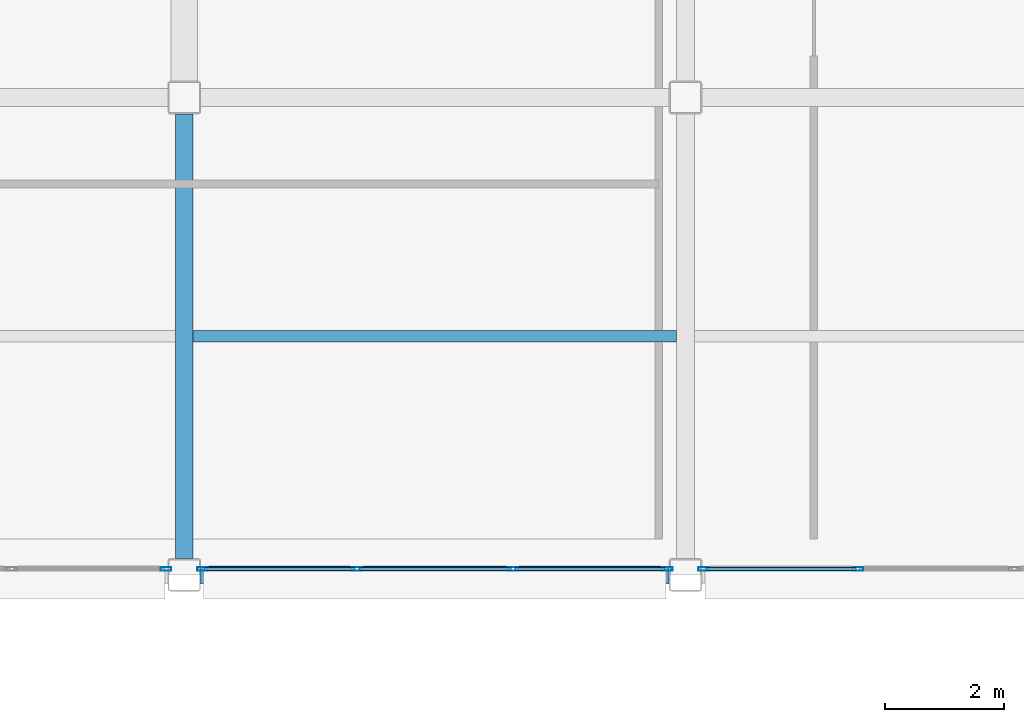
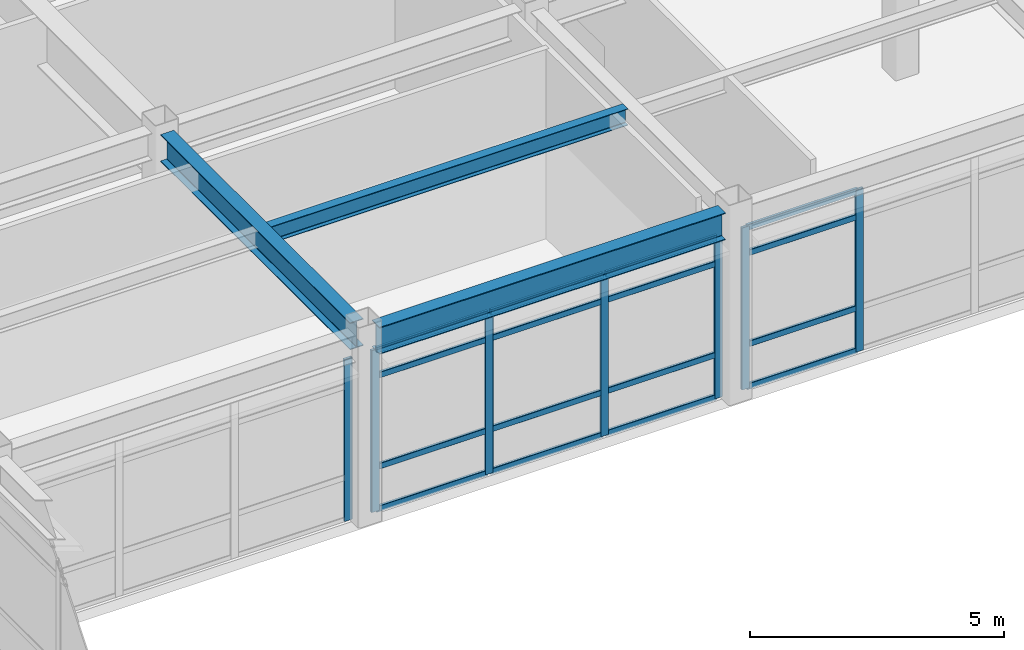
# One storey, part 40 of 154: 23 members, 3 beams, 3 elements without a shape of their own.
"""IFC4 building model written with IfcOpenShell, lengths in metres."""

from ifc_helpers import new_model, si_unit, direction, frame, origin, origin_2d, place, context, subcontext, project, spatial, hollow_rectangle, i_section, extrude, material, layer, layer_set, material_profile, profile_set, type_object, element, aggregate, save


model = new_model("IFC4")

# Units and contexts
model_context = context("Model", 3, precision=1e-05, world=origin(), true_north=direction((0.0, 1.0)))
body_context = subcontext(model_context, "Body", "Model", "MODEL_VIEW")
ifc_project = project(units=[si_unit("LENGTHUNIT", "METRE"), si_unit("AREAUNIT", "SQUARE_METRE"), si_unit("VOLUMEUNIT", "CUBIC_METRE"), si_unit("PLANEANGLEUNIT", "RADIAN"), si_unit("MASSUNIT", "GRAM", prefix="KILO")], contexts=[model_context])

# Site, building, storey
site_placement = place(None, origin())
site = spatial("IfcSite", under=ifc_project, at=site_placement, CompositionType="ELEMENT")
building_placement = place(site_placement, origin())
building = spatial("IfcBuilding", under=site, at=building_placement, Name="Kazehara Bluff Congress Hotel", CompositionType="ELEMENT")
storey_placement = place(building_placement, frame((0.0, 0.0, 10.199951171875)))
storey = spatial("IfcBuildingStorey", under=building, at=storey_placement, Name="L02", CompositionType="ELEMENT", Elevation=10.199951171875)

# Curtain wall, member
ifc_material_1 = material(Name="Anodised aluminium", Category="aluminium")
ifc_layer = layer(ifc_material_1, 0.159912109375)
ifc_layer_set = layer_set([ifc_layer], Name="Anodised aluminium")
curtain_wall_type = type_object("IfcCurtainWallType", Name="TP-CW-117", PredefinedType="NOTDEFINED", material=ifc_layer_set)
curtain_wall_1_placement = place(storey_placement, origin())
curtain_wall_1 = element("IfcCurtainWall", 1, at=curtain_wall_1_placement, inside=storey, type_object=curtain_wall_type, Name="L02 curtain wall CW-117 CW-ENC-V4-L02-8025-1610", PredefinedType="NOTDEFINED")
ifc_material_2 = material(Name="Anodised aluminium", Category="aluminium")
ifc_material_profile_1 = material_profile(ifc_material_2, hollow_rectangle(XDim=0.06494140625, YDim=0.179931640625, WallThickness=0.00390625, InnerFilletRadius=0.00390625, OuterFilletRadius=0.008056640625, at=origin_2d()))
ifc_profile_set_1 = profile_set([ifc_material_profile_1], Name="Anodised aluminium")
member_type_1 = type_object("IfcMemberType", Name="TP-CWM-02", PredefinedType="MULLION", material=ifc_profile_set_1)
member_1_placement = place(storey_placement, frame((84.142578125, 16.10009765625, 0.0), z_axis=(0.0, 0.0, 1.0), x_axis=(0.0, -1.0, 0.0)))
member_1 = element("IfcMember", 2, at=member_1_placement, type_object=member_type_1, Name="CW-117 mullion 1", PredefinedType="MULLION", context=body_context, shape_type="SweptSolid", body=[
    extrude(hollow_rectangle(XDim=0.06494140625, YDim=0.179931640625, WallThickness=0.00390625, InnerFilletRadius=0.00390625, OuterFilletRadius=0.008056640625, at=origin_2d()), origin(), (0.0, 0.0, 1.0), 3.885009765625),
])
aggregate(curtain_wall_1, [member_1])

# Curtain wall, members
curtain_wall_2_placement = place(storey_placement, origin())
curtain_wall_2 = element("IfcCurtainWall", 3, at=curtain_wall_2_placement, inside=storey, type_object=curtain_wall_type, Name="L02 curtain wall CW-117 CW-ENC-V4-L02-8865-1610", PredefinedType="NOTDEFINED")
member_2_placement = place(storey_placement, frame((92.54248046875, 16.10009765625, 0.0), z_axis=(0.0, 0.0, 1.0), x_axis=(0.0, -1.0, 0.0)))
member_2 = element("IfcMember", 4, at=member_2_placement, type_object=member_type_1, Name="CW-117 mullion 1", PredefinedType="MULLION", context=body_context, shape_type="SweptSolid", body=[
    extrude(hollow_rectangle(XDim=0.06494140625, YDim=0.179931640625, WallThickness=0.00390625, InnerFilletRadius=0.00390625, OuterFilletRadius=0.008056640625, at=origin_2d()), origin(), (0.0, 0.0, 1.0), 3.885009765625),
])
member_3_placement = place(storey_placement, frame((89.958251953125, 16.10009765625, 0.0), z_axis=(0.0, 0.0, 1.0), x_axis=(0.0, -1.0, 0.0)))
member_3 = element("IfcMember", 5, at=member_3_placement, type_object=member_type_1, Name="CW-117 mullion 2", PredefinedType="MULLION", context=body_context, shape_type="SweptSolid", body=[
    extrude(hollow_rectangle(XDim=0.06494140625, YDim=0.179931640625, WallThickness=0.00390625, InnerFilletRadius=0.00390625, OuterFilletRadius=0.008056640625, at=origin_2d()), origin(), (0.0, 0.0, 1.0), 3.885009765625),
])
member_4_placement = place(storey_placement, frame((87.341552734375, 16.10009765625, 0.0), z_axis=(0.0, 0.0, 1.0), x_axis=(0.0, -1.0, 0.0)))
member_4 = element("IfcMember", 6, at=member_4_placement, type_object=member_type_1, Name="CW-117 mullion 3", PredefinedType="MULLION", context=body_context, shape_type="SweptSolid", body=[
    extrude(hollow_rectangle(XDim=0.06494140625, YDim=0.179931640625, WallThickness=0.00390625, InnerFilletRadius=0.00390625, OuterFilletRadius=0.008056640625, at=origin_2d()), origin(), (0.0, 0.0, 1.0), 3.885009765625),
])
member_5_placement = place(storey_placement, frame((84.757568359375, 16.10009765625, 0.0), z_axis=(0.0, 0.0, 1.0), x_axis=(0.0, -1.0, 0.0)))
member_5 = element("IfcMember", 7, at=member_5_placement, type_object=member_type_1, Name="CW-117 mullion 4", PredefinedType="MULLION", context=body_context, shape_type="SweptSolid", body=[
    extrude(hollow_rectangle(XDim=0.06494140625, YDim=0.179931640625, WallThickness=0.00390625, InnerFilletRadius=0.00390625, OuterFilletRadius=0.008056640625, at=origin_2d()), origin(), (0.0, 0.0, 1.0), 3.885009765625),
])

curtain_wall_3_placement = place(storey_placement, origin())
curtain_wall_3 = element("IfcCurtainWall", 8, at=curtain_wall_3_placement, inside=storey, type_object=curtain_wall_type, Name="L02 curtain wall CW-117 CW-ENC-V4-L02-9705-1610", PredefinedType="NOTDEFINED")
member_6_placement = place(storey_placement, frame((95.74169921875, 16.10009765625, 0.0), z_axis=(0.0, 0.0, 1.0), x_axis=(0.0, -1.0, 0.0)))
member_6 = element("IfcMember", 9, at=member_6_placement, type_object=member_type_1, Name="CW-117 mullion 3", PredefinedType="MULLION", context=body_context, shape_type="SweptSolid", body=[
    extrude(hollow_rectangle(XDim=0.06494140625, YDim=0.179931640625, WallThickness=0.00390625, InnerFilletRadius=0.00390625, OuterFilletRadius=0.008056640625, at=origin_2d()), origin(), (0.0, 0.0, 1.0), 3.885009765625),
])
member_7_placement = place(storey_placement, frame((93.157470703125, 16.10009765625, 0.0), z_axis=(0.0, 0.0, 1.0), x_axis=(0.0, -1.0, 0.0)))
member_7 = element("IfcMember", 10, at=member_7_placement, type_object=member_type_1, Name="CW-117 mullion 4", PredefinedType="MULLION", context=body_context, shape_type="SweptSolid", body=[
    extrude(hollow_rectangle(XDim=0.06494140625, YDim=0.179931640625, WallThickness=0.00390625, InnerFilletRadius=0.00390625, OuterFilletRadius=0.008056640625, at=origin_2d()), origin(), (0.0, 0.0, 1.0), 3.885009765625),
])

# Member
ifc_material_3 = material(Name="Anodised aluminium", Category="aluminium")
ifc_material_profile_2 = material_profile(ifc_material_3, hollow_rectangle(XDim=0.06494140625, YDim=0.139892578125, WallThickness=0.00390625, InnerFilletRadius=0.00390625, OuterFilletRadius=0.008056640625, at=origin_2d()))
ifc_profile_set_2 = profile_set([ifc_material_profile_2], Name="Anodised aluminium")
member_type_2 = type_object("IfcMemberType", Name="TP-CWT-02", PredefinedType="USERDEFINED", material=ifc_profile_set_2)
member_8_placement = place(storey_placement, frame((92.510009765625, 16.10009765625, 0.032470703125), z_axis=(-1.0, 0.0, 0.0), x_axis=(0.0, -1.0, 0.0)))
member_8 = element("IfcMember", 11, at=member_8_placement, type_object=member_type_2, Name="CW-117 transom 1.1", ObjectType="TRANSOM", PredefinedType="USERDEFINED", context=body_context, shape_type="SweptSolid", body=[
    extrude(hollow_rectangle(XDim=0.06494140625, YDim=0.139892578125, WallThickness=0.00390625, InnerFilletRadius=0.00390625, OuterFilletRadius=0.008056640625, at=origin_2d()), origin(), (0.0, 0.0, 1.0), 2.519287109375),
])

member_9_placement = place(storey_placement, frame((92.510009765625, 16.10009765625, 1.050048828125), z_axis=(-1.0, 0.0, 0.0), x_axis=(0.0, -1.0, 0.0)))
member_9 = element("IfcMember", 12, at=member_9_placement, type_object=member_type_2, Name="CW-117 transom 1.2", ObjectType="TRANSOM", PredefinedType="USERDEFINED", context=body_context, shape_type="SweptSolid", body=[
    extrude(hollow_rectangle(XDim=0.06494140625, YDim=0.139892578125, WallThickness=0.00390625, InnerFilletRadius=0.00390625, OuterFilletRadius=0.008056640625, at=origin_2d()), origin(), (0.0, 0.0, 1.0), 2.519287109375),
])

member_10_placement = place(storey_placement, frame((92.510009765625, 16.10009765625, 3.235107421875), z_axis=(-1.0, 0.0, 0.0), x_axis=(0.0, -1.0, 0.0)))
member_10 = element("IfcMember", 13, at=member_10_placement, type_object=member_type_2, Name="CW-117 transom 1.3", ObjectType="TRANSOM", PredefinedType="USERDEFINED", context=body_context, shape_type="SweptSolid", body=[
    extrude(hollow_rectangle(XDim=0.06494140625, YDim=0.139892578125, WallThickness=0.00390625, InnerFilletRadius=0.00390625, OuterFilletRadius=0.008056640625, at=origin_2d()), origin(), (0.0, 0.0, 1.0), 2.519287109375),
])

member_11_placement = place(storey_placement, frame((92.510009765625, 16.10009765625, 3.8525390625), z_axis=(-1.0, 0.0, 0.0), x_axis=(0.0, -1.0, 0.0)))
member_11 = element("IfcMember", 14, at=member_11_placement, type_object=member_type_2, Name="CW-117 transom 1.4", ObjectType="TRANSOM", PredefinedType="USERDEFINED", context=body_context, shape_type="SweptSolid", body=[
    extrude(hollow_rectangle(XDim=0.06494140625, YDim=0.139892578125, WallThickness=0.00390625, InnerFilletRadius=0.00390625, OuterFilletRadius=0.008056640625, at=origin_2d()), origin(), (0.0, 0.0, 1.0), 2.519287109375),
])

member_12_placement = place(storey_placement, frame((89.92578125, 16.10009765625, 0.032470703125), z_axis=(-1.0, 0.0, 0.0), x_axis=(0.0, -1.0, 0.0)))
member_12 = element("IfcMember", 15, at=member_12_placement, type_object=member_type_2, Name="CW-117 transom 2.1", ObjectType="TRANSOM", PredefinedType="USERDEFINED", context=body_context, shape_type="SweptSolid", body=[
    extrude(hollow_rectangle(XDim=0.06494140625, YDim=0.139892578125, WallThickness=0.00390625, InnerFilletRadius=0.00390625, OuterFilletRadius=0.008056640625, at=origin_2d()), origin(), (0.0, 0.0, 1.0), 2.551513671875),
])

member_13_placement = place(storey_placement, frame((89.92578125, 16.10009765625, 1.050048828125), z_axis=(-1.0, 0.0, 0.0), x_axis=(0.0, -1.0, 0.0)))
member_13 = element("IfcMember", 16, at=member_13_placement, type_object=member_type_2, Name="CW-117 transom 2.2", ObjectType="TRANSOM", PredefinedType="USERDEFINED", context=body_context, shape_type="SweptSolid", body=[
    extrude(hollow_rectangle(XDim=0.06494140625, YDim=0.139892578125, WallThickness=0.00390625, InnerFilletRadius=0.00390625, OuterFilletRadius=0.008056640625, at=origin_2d()), origin(), (0.0, 0.0, 1.0), 2.551513671875),
])

member_14_placement = place(storey_placement, frame((89.92578125, 16.10009765625, 3.235107421875), z_axis=(-1.0, 0.0, 0.0), x_axis=(0.0, -1.0, 0.0)))
member_14 = element("IfcMember", 17, at=member_14_placement, type_object=member_type_2, Name="CW-117 transom 2.3", ObjectType="TRANSOM", PredefinedType="USERDEFINED", context=body_context, shape_type="SweptSolid", body=[
    extrude(hollow_rectangle(XDim=0.06494140625, YDim=0.139892578125, WallThickness=0.00390625, InnerFilletRadius=0.00390625, OuterFilletRadius=0.008056640625, at=origin_2d()), origin(), (0.0, 0.0, 1.0), 2.551513671875),
])

member_15_placement = place(storey_placement, frame((89.92578125, 16.10009765625, 3.8525390625), z_axis=(-1.0, 0.0, 0.0), x_axis=(0.0, -1.0, 0.0)))
member_15 = element("IfcMember", 18, at=member_15_placement, type_object=member_type_2, Name="CW-117 transom 2.4", ObjectType="TRANSOM", PredefinedType="USERDEFINED", context=body_context, shape_type="SweptSolid", body=[
    extrude(hollow_rectangle(XDim=0.06494140625, YDim=0.139892578125, WallThickness=0.00390625, InnerFilletRadius=0.00390625, OuterFilletRadius=0.008056640625, at=origin_2d()), origin(), (0.0, 0.0, 1.0), 2.551513671875),
])

member_16_placement = place(storey_placement, frame((87.30908203125, 16.10009765625, 0.032470703125), z_axis=(-1.0, 0.0, 0.0), x_axis=(0.0, -1.0, 0.0)))
member_16 = element("IfcMember", 19, at=member_16_placement, type_object=member_type_2, Name="CW-117 transom 3.1", ObjectType="TRANSOM", PredefinedType="USERDEFINED", context=body_context, shape_type="SweptSolid", body=[
    extrude(hollow_rectangle(XDim=0.06494140625, YDim=0.139892578125, WallThickness=0.00390625, InnerFilletRadius=0.00390625, OuterFilletRadius=0.008056640625, at=origin_2d()), origin(), (0.0, 0.0, 1.0), 2.51904296875),
])

member_17_placement = place(storey_placement, frame((87.30908203125, 16.10009765625, 1.050048828125), z_axis=(-1.0, 0.0, 0.0), x_axis=(0.0, -1.0, 0.0)))
member_17 = element("IfcMember", 20, at=member_17_placement, type_object=member_type_2, Name="CW-117 transom 3.2", ObjectType="TRANSOM", PredefinedType="USERDEFINED", context=body_context, shape_type="SweptSolid", body=[
    extrude(hollow_rectangle(XDim=0.06494140625, YDim=0.139892578125, WallThickness=0.00390625, InnerFilletRadius=0.00390625, OuterFilletRadius=0.008056640625, at=origin_2d()), origin(), (0.0, 0.0, 1.0), 2.51904296875),
])

member_18_placement = place(storey_placement, frame((87.30908203125, 16.10009765625, 3.235107421875), z_axis=(-1.0, 0.0, 0.0), x_axis=(0.0, -1.0, 0.0)))
member_18 = element("IfcMember", 21, at=member_18_placement, type_object=member_type_2, Name="CW-117 transom 3.3", ObjectType="TRANSOM", PredefinedType="USERDEFINED", context=body_context, shape_type="SweptSolid", body=[
    extrude(hollow_rectangle(XDim=0.06494140625, YDim=0.139892578125, WallThickness=0.00390625, InnerFilletRadius=0.00390625, OuterFilletRadius=0.008056640625, at=origin_2d()), origin(), (0.0, 0.0, 1.0), 2.51904296875),
])

member_19_placement = place(storey_placement, frame((87.30908203125, 16.10009765625, 3.8525390625), z_axis=(-1.0, 0.0, 0.0), x_axis=(0.0, -1.0, 0.0)))
member_19 = element("IfcMember", 22, at=member_19_placement, type_object=member_type_2, Name="CW-117 transom 3.4", ObjectType="TRANSOM", PredefinedType="USERDEFINED", context=body_context, shape_type="SweptSolid", body=[
    extrude(hollow_rectangle(XDim=0.06494140625, YDim=0.139892578125, WallThickness=0.00390625, InnerFilletRadius=0.00390625, OuterFilletRadius=0.008056640625, at=origin_2d()), origin(), (0.0, 0.0, 1.0), 2.51904296875),
])

aggregate(curtain_wall_2, [member_2, member_3, member_4, member_5, member_8, member_9, member_10, member_11, member_12, member_13, member_14, member_15, member_16, member_17, member_18, member_19])

member_20_placement = place(storey_placement, frame((95.709228515625, 16.10009765625, 0.032470703125), z_axis=(-1.0, 0.0, 0.0), x_axis=(0.0, -1.0, 0.0)))
member_20 = element("IfcMember", 23, at=member_20_placement, type_object=member_type_2, Name="CW-117 transom 3.1", ObjectType="TRANSOM", PredefinedType="USERDEFINED", context=body_context, shape_type="SweptSolid", body=[
    extrude(hollow_rectangle(XDim=0.06494140625, YDim=0.139892578125, WallThickness=0.00390625, InnerFilletRadius=0.00390625, OuterFilletRadius=0.008056640625, at=origin_2d()), origin(), (0.0, 0.0, 1.0), 2.519287109375),
])

member_21_placement = place(storey_placement, frame((95.709228515625, 16.10009765625, 1.050048828125), z_axis=(-1.0, 0.0, 0.0), x_axis=(0.0, -1.0, 0.0)))
member_21 = element("IfcMember", 24, at=member_21_placement, type_object=member_type_2, Name="CW-117 transom 3.2", ObjectType="TRANSOM", PredefinedType="USERDEFINED", context=body_context, shape_type="SweptSolid", body=[
    extrude(hollow_rectangle(XDim=0.06494140625, YDim=0.139892578125, WallThickness=0.00390625, InnerFilletRadius=0.00390625, OuterFilletRadius=0.008056640625, at=origin_2d()), origin(), (0.0, 0.0, 1.0), 2.519287109375),
])

member_22_placement = place(storey_placement, frame((95.709228515625, 16.10009765625, 3.235107421875), z_axis=(-1.0, 0.0, 0.0), x_axis=(0.0, -1.0, 0.0)))
member_22 = element("IfcMember", 25, at=member_22_placement, type_object=member_type_2, Name="CW-117 transom 3.3", ObjectType="TRANSOM", PredefinedType="USERDEFINED", context=body_context, shape_type="SweptSolid", body=[
    extrude(hollow_rectangle(XDim=0.06494140625, YDim=0.139892578125, WallThickness=0.00390625, InnerFilletRadius=0.00390625, OuterFilletRadius=0.008056640625, at=origin_2d()), origin(), (0.0, 0.0, 1.0), 2.519287109375),
])

member_23_placement = place(storey_placement, frame((95.709228515625, 16.10009765625, 3.8525390625), z_axis=(-1.0, 0.0, 0.0), x_axis=(0.0, -1.0, 0.0)))
member_23 = element("IfcMember", 26, at=member_23_placement, type_object=member_type_2, Name="CW-117 transom 3.4", ObjectType="TRANSOM", PredefinedType="USERDEFINED", context=body_context, shape_type="SweptSolid", body=[
    extrude(hollow_rectangle(XDim=0.06494140625, YDim=0.139892578125, WallThickness=0.00390625, InnerFilletRadius=0.00390625, OuterFilletRadius=0.008056640625, at=origin_2d()), origin(), (0.0, 0.0, 1.0), 2.519287109375),
])

aggregate(curtain_wall_3, [member_6, member_7, member_20, member_21, member_22, member_23])

# Beams
ifc_material_4 = material(Name="Steel SN490B", Category="steel")
ifc_material_profile_3 = material_profile(ifc_material_4, i_section(OverallWidth=0.300048828125, OverallDepth=0.64990234375, WebThickness=0.011962890625, FlangeThickness=0.02001953125, FilletRadius=0.012939453125, at=origin_2d()))
ifc_profile_set_3 = profile_set([ifc_material_profile_3], Name="Steel SN490B")
beam_type_1 = type_object("IfcBeamType", Name="TP-G-03", PredefinedType="BEAM", material=ifc_profile_set_3)
beam_1_placement = place(storey_placement, frame((84.449951171875, 16.27490234375, 4.235107421875), z_axis=(0.0, 1.0, 0.0), x_axis=(-1.0, 0.0, 0.0)))
element("IfcBeam", 27, at=beam_1_placement, inside=storey, type_object=beam_type_1, Name="L02 girder G-03 77", PredefinedType="BEAM", context=body_context, shape_type="SweptSolid", body=[
    extrude(i_section(OverallWidth=0.300048828125, OverallDepth=0.64990234375, WebThickness=0.011962890625, FlangeThickness=0.02001953125, FilletRadius=0.012939453125, at=origin_2d()), origin(), (0.0, 0.0, 1.0), 7.4501953125),
])
beam_2_placement = place(storey_placement, frame((84.72509765625, 16.0, 4.235107421875), z_axis=(1.0, 0.0, 0.0), x_axis=(0.0, 1.0, 0.0)))
element("IfcBeam", 28, at=beam_2_placement, inside=storey, type_object=beam_type_1, Name="L02 girder G-03 99", PredefinedType="BEAM", context=body_context, shape_type="SweptSolid", body=[
    extrude(i_section(OverallWidth=0.300048828125, OverallDepth=0.64990234375, WebThickness=0.011962890625, FlangeThickness=0.02001953125, FilletRadius=0.012939453125, at=origin_2d()), origin(), (0.0, 0.0, 1.0), 7.849853515625),
])
ifc_material_5 = material(Name="Steel SN400B", Category="steel")
ifc_material_profile_4 = material_profile(ifc_material_5, i_section(OverallWidth=0.199951171875, OverallDepth=0.39990234375, WebThickness=0.008056640625, FlangeThickness=0.012939453125, FilletRadius=0.012939453125, at=origin_2d()))
ifc_profile_set_4 = profile_set([ifc_material_profile_4], Name="Steel SN400B")
beam_type_2 = type_object("IfcBeamType", Name="TP-J-03", PredefinedType="JOIST", material=ifc_profile_set_4)
beam_3_placement = place(storey_placement, frame((84.60009765625, 20.0, 4.360107421875), z_axis=(1.0, 0.0, 0.0), x_axis=(0.0, 1.0, 0.0)))
element("IfcBeam", 29, at=beam_3_placement, inside=storey, type_object=beam_type_2, Name="L02 secondary joist J-03 16", PredefinedType="JOIST", context=body_context, shape_type="SweptSolid", body=[
    extrude(i_section(OverallWidth=0.199951171875, OverallDepth=0.39990234375, WebThickness=0.008056640625, FlangeThickness=0.012939453125, FilletRadius=0.012939453125, at=origin_2d()), origin(), (0.0, 0.0, 1.0), 8.099853515625),
])

save(model, "model.ifc")
